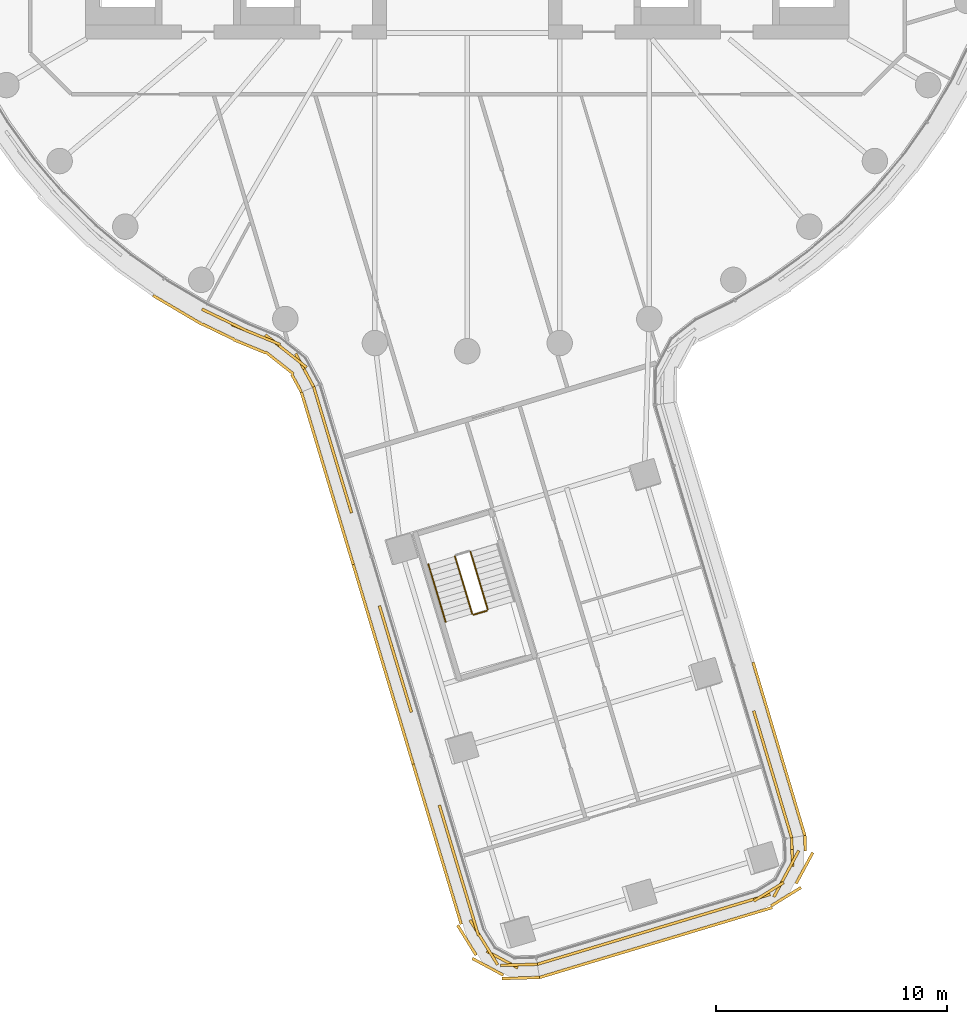
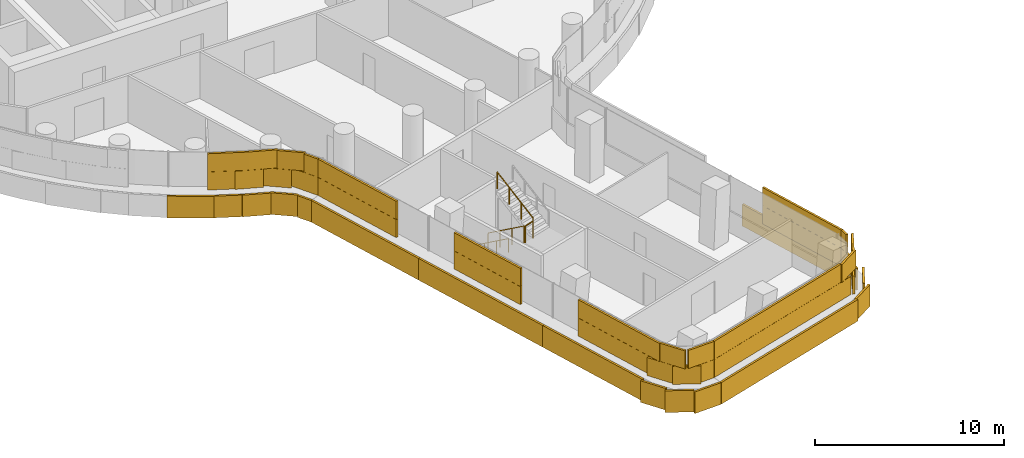
# One storey, part 24 of 32: 6 coverings, 4 railings.
"""IFC4 building model written with IfcOpenShell, lengths in metres."""

from ifc_helpers import new_model, si_unit, direction, frame, origin, origin_2d, place, context, subcontext, project, spatial, rectangle, circle, extrude, material, layer, layer_set, type_object, element, save


model = new_model("IFC4")

# Units and contexts
model_context = context("Model", 3, precision=1e-05, world=origin(), true_north=direction((0.0, 1.0)))
body_context = subcontext(model_context, "Body", "Model", "MODEL_VIEW")
ifc_project = project(units=[si_unit("LENGTHUNIT", "METRE"), si_unit("AREAUNIT", "SQUARE_METRE"), si_unit("VOLUMEUNIT", "CUBIC_METRE"), si_unit("PLANEANGLEUNIT", "RADIAN"), si_unit("MASSUNIT", "GRAM", prefix="KILO")], contexts=[model_context])

# Site, building, storey
site_placement = place(None, origin())
site = spatial("IfcSite", under=ifc_project, at=site_placement, CompositionType="ELEMENT")
building_placement = place(site_placement, origin())
building = spatial("IfcBuilding", under=site, at=building_placement, Name="Tamarind Cross Interchange Tower", CompositionType="ELEMENT")
storey_placement = place(building_placement, frame((0.0, 0.0, 94.75)))
storey = spatial("IfcBuildingStorey", under=building, at=storey_placement, Name="L22", CompositionType="ELEMENT", Elevation=94.75)

# Railings
ifc_material_1 = material(Name="Stair guard")
railing_type_1 = type_object("IfcRailingType", Name="Stair guard", PredefinedType="GUARDRAIL", material=ifc_material_1)
railing_1_placement = place(storey_placement, frame((-0.533447265625, -31.87060546875, 0.17041015625)))
element("IfcRailing", 1, at=railing_1_placement, inside=storey, type_object=railing_type_1, Name="L22 ST6 stair guard 1", PredefinedType="GUARDRAIL", context=body_context, shape_type="SweptSolid", body=[
    extrude(circle(Radius=0.02392578125, at=origin_2d()), frame((0.0, 0.0, 1.076171875), z_axis=(0.240614736033, -0.800923528983, 0.548293762071), x_axis=(0.957715080866, 0.287718306478, 0.0)), (0.0, 0.0, 1.0), 3.10888671875),
    extrude(circle(Radius=0.02099609375, at=origin_2d()), origin(), (0.0, 0.0, 1.0), 1.052001953125),
    extrude(circle(Radius=0.02099609375, at=origin_2d()), frame((0.249267578125, -0.830078125, 0.568115234375)), (0.0, 0.0, 1.0), 1.052001953125),
    extrude(circle(Radius=0.02099609375, at=origin_2d()), frame((0.498779296875, -1.659912109375, 1.136474609375)), (0.0, 0.0, 1.0), 1.052001953125),
    extrude(circle(Radius=0.02099609375, at=origin_2d()), frame((0.748046875, -2.489990234375, 1.70458984375)), (0.0, 0.0, 1.0), 1.052001953125),
])
railing_2_placement = place(storey_placement, frame((0.27685546875, -34.394287109375, 1.875)))
element("IfcRailing", 2, at=railing_2_placement, inside=storey, type_object=railing_type_1, Name="L22 ST6 stair guard 2", PredefinedType="GUARDRAIL", context=body_context, shape_type="SweptSolid", body=[
    extrude(circle(Radius=0.02392578125, at=origin_2d()), frame((0.0, 0.0, 1.076171875), z_axis=(0.957702972853, 0.287758606803, 0.0), x_axis=(-0.287758606803, 0.957702972853, 0.0)), (0.0, 0.0, 1.0), 0.599853515625),
    extrude(circle(Radius=0.02099609375, at=origin_2d()), origin(), (0.0, 0.0, 1.0), 1.052001953125),
    extrude(circle(Radius=0.02099609375, at=origin_2d()), frame((0.574462890625, 0.172607421875, 0.0)), (0.0, 0.0, 1.0), 1.052001953125),
])
railing_3_placement = place(storey_placement, frame((0.885009765625, -34.159423828125, 2.04541015625)))
element("IfcRailing", 3, at=railing_3_placement, inside=storey, type_object=railing_type_1, Name="L22 ST6 stair guard 3", PredefinedType="GUARDRAIL", context=body_context, shape_type="SweptSolid", body=[
    extrude(circle(Radius=0.02392578125, at=origin_2d()), frame((0.0, 0.0, 1.076171875), z_axis=(-0.240599602963, 0.800951680882, 0.548259278031), x_axis=(-0.957722853266, -0.287692433569, 0.0)), (0.0, 0.0, 1.0), 3.109130859375),
    extrude(circle(Radius=0.02099609375, at=origin_2d()), origin(), (0.0, 0.0, 1.0), 1.052001953125),
    extrude(circle(Radius=0.02099609375, at=origin_2d()), frame((-0.249267578125, 0.830078125, 0.568115234375)), (0.0, 0.0, 1.0), 1.052001953125),
    extrude(circle(Radius=0.02099609375, at=origin_2d()), frame((-0.498779296875, 1.66015625, 1.136474609375)), (0.0, 0.0, 1.0), 1.052001953125),
    extrude(circle(Radius=0.02099609375, at=origin_2d()), frame((-0.748046875, 2.490234375, 1.70458984375)), (0.0, 0.0, 1.0), 1.052001953125),
])
ifc_material_2 = material(Name="Stair handrail")
railing_type_2 = type_object("IfcRailingType", Name="Stair handrail", PredefinedType="HANDRAIL", material=ifc_material_2)
railing_4_placement = place(storey_placement, frame((-1.6826171875, -32.2158203125, 0.17041015625)))
element("IfcRailing", 4, at=railing_4_placement, inside=storey, type_object=railing_type_2, Name="L22 ST6 stair handrail 1", PredefinedType="HANDRAIL", context=body_context, shape_type="SweptSolid", body=[
    extrude(circle(Radius=0.02392578125, at=origin_2d()), frame((0.0, 0.0, 0.8759765625), z_axis=(0.24054075083, -0.800938660698, 0.548304120894), x_axis=(0.957740952822, 0.287632173595, 0.0)), (0.0, 0.0, 1.0), 3.10888671875),
    extrude(circle(Radius=0.02099609375, at=origin_2d()), origin(), (0.0, 0.0, 1.0), 0.851806640625),
    extrude(circle(Radius=0.02099609375, at=origin_2d()), frame((0.249267578125, -0.830078125, 0.568115234375)), (0.0, 0.0, 1.0), 0.851806640625),
    extrude(circle(Radius=0.02099609375, at=origin_2d()), frame((0.49853515625, -1.659912109375, 1.136474609375)), (0.0, 0.0, 1.0), 0.851806640625),
    extrude(circle(Radius=0.02099609375, at=origin_2d()), frame((0.747802734375, -2.489990234375, 1.70458984375)), (0.0, 0.0, 1.0), 0.851806640625),
])

# Coverings
ifc_material_3 = material(Name="Terracotta", Category="masonry")
ifc_layer = layer(ifc_material_3, 0.1201171875)
ifc_layer_set = layer_set([ifc_layer], Name="Terracotta")
covering_type = type_object("IfcCoveringType", Name="Terracotta baguette screen unit", PredefinedType="MOLDING", material=ifc_layer_set)
covering_1_placement = place(storey_placement, origin())
element("IfcCovering", 5, at=covering_1_placement, inside=storey, type_object=covering_type, Name="SCR-L22-06-01", PredefinedType="MOLDING", context=body_context, shape_type="SweptSolid", body=[
    extrude(rectangle(XDim=1.45361328125, YDim=0.1201171875, at=origin_2d()), frame((-10.8115234375, -21.50341796875, 1.404052734375), z_axis=(0.0, 0.0, 1.0), x_axis=(0.900272776334, -0.435326231914, 0.0)), (0.0, 0.0, 1.0), 1.1669921875),
    extrude(rectangle(XDim=1.52001953125, YDim=0.1201171875, at=origin_2d()), frame((-9.48388671875, -22.138427734375, 1.404052734375), z_axis=(0.0, 0.0, 1.0), x_axis=(0.924673854944, -0.38076011081, 0.0)), (0.0, 0.0, 1.0), 1.1669921875),
    extrude(rectangle(XDim=1.52001953125, YDim=0.1201171875, at=origin_2d()), frame((-8.130859375, -22.767333984375, 1.404052734375), z_axis=(0.0, 0.0, 1.0), x_axis=(0.785091852631, -0.619379353008, 0.0)), (0.0, 0.0, 1.0), 1.1669921875),
    extrude(rectangle(XDim=1.52001953125, YDim=0.1201171875, at=origin_2d()), frame((-7.054443359375, -23.78173828125, 1.404052734375), z_axis=(0.0, 0.0, 1.0), x_axis=(0.47749522249, -0.878634345163, 0.0)), (0.0, 0.0, 1.0), 1.1669921875),
    extrude(rectangle(XDim=0.134521484375, YDim=0.1201171875, at=origin_2d()), frame((-6.666748046875, -24.49560546875, 1.404052734375), z_axis=(0.0, 0.0, 1.0), x_axis=(0.47749522249, -0.878634345163, 0.0)), (0.0, 0.0, 1.0), 1.1669921875),
    extrude(rectangle(XDim=0.70361328125, YDim=0.1201171875, at=origin_2d()), frame((-11.149169921875, -21.340087890625, 2.5791015625), z_axis=(0.0, 0.0, 1.0), x_axis=(0.900272776334, -0.435326231914, 0.0)), (0.0, 0.0, 1.0), 1.1669921875),
    extrude(rectangle(XDim=1.52001953125, YDim=0.1201171875, at=origin_2d()), frame((-10.161865234375, -21.817626953125, 2.5791015625), z_axis=(0.0, 0.0, 1.0), x_axis=(0.900272776334, -0.435326231914, 0.0)), (0.0, 0.0, 1.0), 1.1669921875),
    extrude(rectangle(XDim=1.52001953125, YDim=0.1201171875, at=origin_2d()), frame((-8.79052734375, -22.423828125, 2.5791015625), z_axis=(0.0, 0.0, 1.0), x_axis=(0.924673854944, -0.38076011081, 0.0)), (0.0, 0.0, 1.0), 1.1669921875),
    extrude(rectangle(XDim=1.52001953125, YDim=0.1201171875, at=origin_2d()), frame((-7.5419921875, -23.231689453125, 2.5791015625), z_axis=(0.0, 0.0, 1.0), x_axis=(0.785091852631, -0.619379353008, 0.0)), (0.0, 0.0, 1.0), 1.1669921875),
    extrude(rectangle(XDim=0.884521484375, YDim=0.1201171875, at=origin_2d()), frame((-6.845703125, -24.166015625, 2.5791015625), z_axis=(0.0, 0.0, 1.0), x_axis=(0.47749522249, -0.878634345163, 0.0)), (0.0, 0.0, 1.0), 1.1669921875),
    extrude(rectangle(XDim=0.977294921875, YDim=0.1201171875, at=origin_2d()), frame((-13.161865234375, -20.8427734375, 0.00390625), z_axis=(0.0, 0.0, 1.0), x_axis=(0.861248933065, -0.508183308752, 0.0)), (0.0, 0.0, 1.0), 1.39208984375),
    extrude(rectangle(XDim=1.52001953125, YDim=0.1201171875, at=origin_2d()), frame((-12.103759765625, -21.467041015625, 0.00390625), z_axis=(0.0, 0.0, 1.0), x_axis=(0.861248933065, -0.508183308752, 0.0)), (0.0, 0.0, 1.0), 1.39208984375),
    extrude(rectangle(XDim=1.52001953125, YDim=0.1201171875, at=origin_2d()), frame((-10.774169921875, -22.158935546875, 0.00390625), z_axis=(0.0, 0.0, 1.0), x_axis=(0.900272776334, -0.435326231914, 0.0)), (0.0, 0.0, 1.0), 1.39208984375),
    extrude(rectangle(XDim=1.52001953125, YDim=0.1201171875, at=origin_2d()), frame((-9.4130859375, -22.788330078125, 0.00390625), z_axis=(0.0, 0.0, 1.0), x_axis=(0.924673854944, -0.38076011081, 0.0)), (0.0, 0.0, 1.0), 1.39208984375),
    extrude(rectangle(XDim=1.52001953125, YDim=0.1201171875, at=origin_2d()), frame((-8.11474609375, -23.510986328125, 0.00390625), z_axis=(0.0, 0.0, 1.0), x_axis=(0.785091852631, -0.619379353008, 0.0)), (0.0, 0.0, 1.0), 1.39208984375),
    extrude(rectangle(XDim=0.8662109375, YDim=0.1201171875, at=origin_2d()), frame((-7.37646484375, -24.3916015625, 0.00390625), z_axis=(0.0, 0.0, 1.0), x_axis=(0.47749522249, -0.878634345163, 0.0)), (0.0, 0.0, 1.0), 1.39208984375),
])
covering_2_placement = place(storey_placement, origin())
element("IfcCovering", 6, at=covering_2_placement, inside=storey, type_object=covering_type, Name="SCR-L22-07-00", PredefinedType="MOLDING", context=body_context, shape_type="SweptSolid", body=[
    extrude(rectangle(XDim=1.510009765625, YDim=0.1201171875, at=origin_2d()), frame((-6.421142578125, -25.2685546875, 1.404052734375), z_axis=(0.0, 0.0, 1.0), x_axis=(0.287641355717, -0.957738195167, 0.0)), (0.0, 0.0, 1.0), 1.1669921875),
    extrude(rectangle(XDim=1.52001953125, YDim=0.1201171875, at=origin_2d()), frame((-5.98974609375, -26.705078125, 1.404052734375), z_axis=(0.0, 0.0, 1.0), x_axis=(0.287641355717, -0.957738195167, 0.0)), (0.0, 0.0, 1.0), 1.1669921875),
    extrude(rectangle(XDim=1.52001953125, YDim=0.1201171875, at=origin_2d()), frame((-5.558349609375, -28.141845703125, 1.404052734375), z_axis=(0.0, 0.0, 1.0), x_axis=(0.287641355717, -0.957738195167, 0.0)), (0.0, 0.0, 1.0), 1.1669921875),
    extrude(rectangle(XDim=1.186767578125, YDim=0.1201171875, at=origin_2d()), frame((-5.17333984375, -29.423583984375, 1.404052734375), z_axis=(0.0, 0.0, 1.0), x_axis=(0.287641355717, -0.957738195167, 0.0)), (0.0, 0.0, 1.0), 1.1669921875),
    extrude(rectangle(XDim=0.760009765625, YDim=0.1201171875, at=origin_2d()), frame((-6.529052734375, -24.909423828125, 2.5791015625), z_axis=(0.0, 0.0, 1.0), x_axis=(0.287641355717, -0.957738195167, 0.0)), (0.0, 0.0, 1.0), 1.1669921875),
    extrude(rectangle(XDim=1.52001953125, YDim=0.1201171875, at=origin_2d()), frame((-6.20556640625, -25.98681640625, 2.5791015625), z_axis=(0.0, 0.0, 1.0), x_axis=(0.287641355717, -0.957738195167, 0.0)), (0.0, 0.0, 1.0), 1.1669921875),
    extrude(rectangle(XDim=1.52001953125, YDim=0.1201171875, at=origin_2d()), frame((-5.77392578125, -27.42333984375, 2.5791015625), z_axis=(0.0, 0.0, 1.0), x_axis=(0.287641355717, -0.957738195167, 0.0)), (0.0, 0.0, 1.0), 1.1669921875),
    extrude(rectangle(XDim=1.52001953125, YDim=0.1201171875, at=origin_2d()), frame((-5.342529296875, -28.860107421875, 2.5791015625), z_axis=(0.0, 0.0, 1.0), x_axis=(0.287641355717, -0.957738195167, 0.0)), (0.0, 0.0, 1.0), 1.1669921875),
    extrude(rectangle(XDim=0.436767578125, YDim=0.1201171875, at=origin_2d()), frame((-5.0654296875, -29.78271484375, 2.5791015625), z_axis=(0.0, 0.0, 1.0), x_axis=(0.287641355717, -0.957738195167, 0.0)), (0.0, 0.0, 1.0), 1.1669921875),
    extrude(rectangle(XDim=1.510009765625, YDim=0.1201171875, at=origin_2d()), frame((-6.952392578125, -25.495361328125, 0.00390625), z_axis=(0.0, 0.0, 1.0), x_axis=(0.287641355717, -0.957738195167, 0.0)), (0.0, 0.0, 1.0), 1.39208984375),
    extrude(rectangle(XDim=1.52001953125, YDim=0.1201171875, at=origin_2d()), frame((-6.5224609375, -26.927001953125, 0.00390625), z_axis=(0.0, 0.0, 1.0), x_axis=(0.287641355717, -0.957738195167, 0.0)), (0.0, 0.0, 1.0), 1.39208984375),
    extrude(rectangle(XDim=1.52001953125, YDim=0.1201171875, at=origin_2d()), frame((-6.091064453125, -28.36376953125, 0.00390625), z_axis=(0.0, 0.0, 1.0), x_axis=(0.287641355717, -0.957738195167, 0.0)), (0.0, 0.0, 1.0), 1.39208984375),
    extrude(rectangle(XDim=1.52001953125, YDim=0.1201171875, at=origin_2d()), frame((-5.659423828125, -29.80029296875, 0.00390625), z_axis=(0.0, 0.0, 1.0), x_axis=(0.287641355717, -0.957738195167, 0.0)), (0.0, 0.0, 1.0), 1.39208984375),
    extrude(rectangle(XDim=1.52001953125, YDim=0.1201171875, at=origin_2d()), frame((-5.22802734375, -31.23681640625, 0.00390625), z_axis=(0.0, 0.0, 1.0), x_axis=(0.287641355717, -0.957738195167, 0.0)), (0.0, 0.0, 1.0), 1.39208984375),
    extrude(rectangle(XDim=0.291748046875, YDim=0.1201171875, at=origin_2d()), frame((-4.97314453125, -32.08544921875, 0.00390625), z_axis=(0.0, 0.0, 1.0), x_axis=(0.287641355717, -0.957738195167, 0.0)), (0.0, 0.0, 1.0), 1.39208984375),
])
covering_3_placement = place(storey_placement, origin())
element("IfcCovering", 7, at=covering_3_placement, inside=storey, type_object=covering_type, Name="SCR-L22-07-01", PredefinedType="MOLDING", context=body_context, shape_type="SweptSolid", body=[
    extrude(rectangle(XDim=0.63330078125, YDim=0.1201171875, at=origin_2d()), frame((-3.706298828125, -34.30810546875, 1.404052734375), z_axis=(0.0, 0.0, 1.0), x_axis=(0.287641355717, -0.957738195167, 0.0)), (0.0, 0.0, 1.0), 1.1669921875),
    extrude(rectangle(XDim=1.52001953125, YDim=0.1201171875, at=origin_2d()), frame((-3.40087890625, -35.32470703125, 1.404052734375), z_axis=(0.0, 0.0, 1.0), x_axis=(0.287641355717, -0.957738195167, 0.0)), (0.0, 0.0, 1.0), 1.1669921875),
    extrude(rectangle(XDim=1.52001953125, YDim=0.1201171875, at=origin_2d()), frame((-2.969482421875, -36.761474609375, 1.404052734375), z_axis=(0.0, 0.0, 1.0), x_axis=(0.287641355717, -0.957738195167, 0.0)), (0.0, 0.0, 1.0), 1.1669921875),
    extrude(rectangle(XDim=1.187744140625, YDim=0.1201171875, at=origin_2d()), frame((-2.58447265625, -38.043701171875, 1.404052734375), z_axis=(0.0, 0.0, 1.0), x_axis=(0.287641355717, -0.957738195167, 0.0)), (0.0, 0.0, 1.0), 1.1669921875),
    extrude(rectangle(XDim=1.38330078125, YDim=0.1201171875, at=origin_2d()), frame((-3.598388671875, -34.667236328125, 2.5791015625), z_axis=(0.0, 0.0, 1.0), x_axis=(0.287641355717, -0.957738195167, 0.0)), (0.0, 0.0, 1.0), 1.1669921875),
    extrude(rectangle(XDim=1.52001953125, YDim=0.1201171875, at=origin_2d()), frame((-3.185302734375, -36.04296875, 2.5791015625), z_axis=(0.0, 0.0, 1.0), x_axis=(0.287641355717, -0.957738195167, 0.0)), (0.0, 0.0, 1.0), 1.1669921875),
    extrude(rectangle(XDim=1.52001953125, YDim=0.1201171875, at=origin_2d()), frame((-2.753662109375, -37.479736328125, 2.5791015625), z_axis=(0.0, 0.0, 1.0), x_axis=(0.287641355717, -0.957738195167, 0.0)), (0.0, 0.0, 1.0), 1.1669921875),
    extrude(rectangle(XDim=0.437744140625, YDim=0.1201171875, at=origin_2d()), frame((-2.4765625, -38.40283203125, 2.5791015625), z_axis=(0.0, 0.0, 1.0), x_axis=(0.287641355717, -0.957738195167, 0.0)), (0.0, 0.0, 1.0), 1.1669921875),
    extrude(rectangle(XDim=1.228271484375, YDim=0.1201171875, at=origin_2d()), frame((-4.754638671875, -32.813232421875, 0.00390625), z_axis=(0.0, 0.0, 1.0), x_axis=(0.287641355717, -0.957738195167, 0.0)), (0.0, 0.0, 1.0), 1.39208984375),
    extrude(rectangle(XDim=1.52001953125, YDim=0.1201171875, at=origin_2d()), frame((-4.364990234375, -34.110107421875, 0.00390625), z_axis=(0.0, 0.0, 1.0), x_axis=(0.287641355717, -0.957738195167, 0.0)), (0.0, 0.0, 1.0), 1.39208984375),
    extrude(rectangle(XDim=1.52001953125, YDim=0.1201171875, at=origin_2d()), frame((-3.93359375, -35.546630859375, 0.00390625), z_axis=(0.0, 0.0, 1.0), x_axis=(0.287641355717, -0.957738195167, 0.0)), (0.0, 0.0, 1.0), 1.39208984375),
    extrude(rectangle(XDim=1.52001953125, YDim=0.1201171875, at=origin_2d()), frame((-3.502197265625, -36.9833984375, 0.00390625), z_axis=(0.0, 0.0, 1.0), x_axis=(0.287641355717, -0.957738195167, 0.0)), (0.0, 0.0, 1.0), 1.39208984375),
    extrude(rectangle(XDim=1.52001953125, YDim=0.1201171875, at=origin_2d()), frame((-3.07080078125, -38.419921875, 0.00390625), z_axis=(0.0, 0.0, 1.0), x_axis=(0.287641355717, -0.957738195167, 0.0)), (0.0, 0.0, 1.0), 1.39208984375),
    extrude(rectangle(XDim=1.52001953125, YDim=0.1201171875, at=origin_2d()), frame((-2.63916015625, -39.8564453125, 0.00390625), z_axis=(0.0, 0.0, 1.0), x_axis=(0.287641355717, -0.957738195167, 0.0)), (0.0, 0.0, 1.0), 1.39208984375),
    extrude(rectangle(XDim=0.298828125, YDim=0.1201171875, at=origin_2d()), frame((-2.383544921875, -40.708251953125, 0.00390625), z_axis=(0.0, 0.0, 1.0), x_axis=(0.287641355717, -0.957738195167, 0.0)), (0.0, 0.0, 1.0), 1.39208984375),
])
covering_4_placement = place(storey_placement, origin())
element("IfcCovering", 8, at=covering_4_placement, inside=storey, type_object=covering_type, Name="SCR-L22-07-02", PredefinedType="MOLDING", context=body_context, shape_type="SweptSolid", body=[
    extrude(rectangle(XDim=0.63232421875, YDim=0.1201171875, at=origin_2d()), frame((-1.117431640625, -42.92822265625, 1.404052734375), z_axis=(0.0, 0.0, 1.0), x_axis=(0.287641355717, -0.957738195167, 0.0)), (0.0, 0.0, 1.0), 1.1669921875),
    extrude(rectangle(XDim=1.52001953125, YDim=0.1201171875, at=origin_2d()), frame((-0.812255859375, -43.9443359375, 1.404052734375), z_axis=(0.0, 0.0, 1.0), x_axis=(0.287641355717, -0.957738195167, 0.0)), (0.0, 0.0, 1.0), 1.1669921875),
    extrude(rectangle(XDim=1.52001953125, YDim=0.1201171875, at=origin_2d()), frame((-0.380859375, -45.381103515625, 1.404052734375), z_axis=(0.0, 0.0, 1.0), x_axis=(0.287641355717, -0.957738195167, 0.0)), (0.0, 0.0, 1.0), 1.1669921875),
    extrude(rectangle(XDim=1.52001953125, YDim=0.1201171875, at=origin_2d()), frame((0.05078125, -46.817626953125, 1.404052734375), z_axis=(0.0, 0.0, 1.0), x_axis=(0.287641355717, -0.957738195167, 0.0)), (0.0, 0.0, 1.0), 1.1669921875),
    extrude(rectangle(XDim=1.52001953125, YDim=0.1201171875, at=origin_2d()), frame((0.51806640625, -48.238037109375, 1.404052734375), z_axis=(0.0, 0.0, 1.0), x_axis=(0.525721099327, -0.850656996517, 0.0)), (0.0, 0.0, 1.0), 1.1669921875),
    extrude(rectangle(XDim=1.52001953125, YDim=0.1201171875, at=origin_2d()), frame((1.512451171875, -49.295654296875, 1.404052734375), z_axis=(0.0, 0.0, 1.0), x_axis=(0.880616325581, -0.473830019227, 0.0)), (0.0, 0.0, 1.0), 1.1669921875),
    extrude(rectangle(XDim=0.835205078125, YDim=0.1201171875, at=origin_2d()), frame((2.614501953125, -49.5146484375, 1.404052734375), z_axis=(0.0, 0.0, 1.0), x_axis=(0.999551118554, 0.029959329064, 0.0)), (0.0, 0.0, 1.0), 1.1669921875),
    extrude(rectangle(XDim=1.38232421875, YDim=0.1201171875, at=origin_2d()), frame((-1.009521484375, -43.287353515625, 2.5791015625), z_axis=(0.0, 0.0, 1.0), x_axis=(0.287641355717, -0.957738195167, 0.0)), (0.0, 0.0, 1.0), 1.1669921875),
    extrude(rectangle(XDim=1.52001953125, YDim=0.1201171875, at=origin_2d()), frame((-0.596435546875, -44.662841796875, 2.5791015625), z_axis=(0.0, 0.0, 1.0), x_axis=(0.287641355717, -0.957738195167, 0.0)), (0.0, 0.0, 1.0), 1.1669921875),
    extrude(rectangle(XDim=1.52001953125, YDim=0.1201171875, at=origin_2d()), frame((-0.1650390625, -46.099365234375, 2.5791015625), z_axis=(0.0, 0.0, 1.0), x_axis=(0.287641355717, -0.957738195167, 0.0)), (0.0, 0.0, 1.0), 1.1669921875),
    extrude(rectangle(XDim=1.52001953125, YDim=0.1201171875, at=origin_2d()), frame((0.266357421875, -47.535888671875, 2.5791015625), z_axis=(0.0, 0.0, 1.0), x_axis=(0.287641355717, -0.957738195167, 0.0)), (0.0, 0.0, 1.0), 1.1669921875),
    extrude(rectangle(XDim=1.52001953125, YDim=0.1201171875, at=origin_2d()), frame((0.912353515625, -48.8759765625, 2.5791015625), z_axis=(0.0, 0.0, 1.0), x_axis=(0.525721099327, -0.850656996517, 0.0)), (0.0, 0.0, 1.0), 1.1669921875),
    extrude(rectangle(XDim=1.52001953125, YDim=0.1201171875, at=origin_2d()), frame((2.2021484375, -49.527099609375, 2.5791015625), z_axis=(0.0, 0.0, 1.0), x_axis=(0.999551118554, 0.029959329064, 0.0)), (0.0, 0.0, 1.0), 1.1669921875),
    extrude(rectangle(XDim=0.085205078125, YDim=0.1201171875, at=origin_2d()), frame((2.9892578125, -49.50341796875, 2.5791015625), z_axis=(0.0, 0.0, 1.0), x_axis=(0.999551118554, 0.029959329064, 0.0)), (0.0, 0.0, 1.0), 1.1669921875),
    extrude(rectangle(XDim=1.22119140625, YDim=0.1201171875, at=origin_2d()), frame((-2.164794921875, -41.436279296875, 0.00390625), z_axis=(0.0, 0.0, 1.0), x_axis=(0.287641355717, -0.957738195167, 0.0)), (0.0, 0.0, 1.0), 1.39208984375),
    extrude(rectangle(XDim=1.52001953125, YDim=0.1201171875, at=origin_2d()), frame((-1.7763671875, -42.729736328125, 0.00390625), z_axis=(0.0, 0.0, 1.0), x_axis=(0.287641355717, -0.957738195167, 0.0)), (0.0, 0.0, 1.0), 1.39208984375),
    extrude(rectangle(XDim=1.52001953125, YDim=0.1201171875, at=origin_2d()), frame((-1.344970703125, -44.166259765625, 0.00390625), z_axis=(0.0, 0.0, 1.0), x_axis=(0.287641355717, -0.957738195167, 0.0)), (0.0, 0.0, 1.0), 1.39208984375),
    extrude(rectangle(XDim=1.52001953125, YDim=0.1201171875, at=origin_2d()), frame((-0.913330078125, -45.60302734375, 0.00390625), z_axis=(0.0, 0.0, 1.0), x_axis=(0.287641355717, -0.957738195167, 0.0)), (0.0, 0.0, 1.0), 1.39208984375),
    extrude(rectangle(XDim=1.52001953125, YDim=0.1201171875, at=origin_2d()), frame((-0.48193359375, -47.03955078125, 0.00390625), z_axis=(0.0, 0.0, 1.0), x_axis=(0.287641355717, -0.957738195167, 0.0)), (0.0, 0.0, 1.0), 1.39208984375),
    extrude(rectangle(XDim=1.52001953125, YDim=0.1201171875, at=origin_2d()), frame((-0.018310546875, -48.461669921875, 0.00390625), z_axis=(0.0, 0.0, 1.0), x_axis=(0.525721099327, -0.850656996517, 0.0)), (0.0, 0.0, 1.0), 1.39208984375),
    extrude(rectangle(XDim=1.52001953125, YDim=0.1201171875, at=origin_2d()), frame((0.888671875, -49.61181640625, 0.00390625), z_axis=(0.0, 0.0, 1.0), x_axis=(0.880616325581, -0.473830019227, 0.0)), (0.0, 0.0, 1.0), 1.39208984375),
    extrude(rectangle(XDim=1.52001953125, YDim=0.1201171875, at=origin_2d()), frame((2.26220703125, -50.099365234375, 0.00390625), z_axis=(0.0, 0.0, 1.0), x_axis=(0.999551118554, 0.029959329064, 0.0)), (0.0, 0.0, 1.0), 1.39208984375),
    extrude(rectangle(XDim=0.11767578125, YDim=0.1201171875, at=origin_2d()), frame((3.060791015625, -50.075439453125, 0.00390625), z_axis=(0.0, 0.0, 1.0), x_axis=(0.999551118554, 0.029959329064, 0.0)), (0.0, 0.0, 1.0), 1.39208984375),
])
covering_5_placement = place(storey_placement, origin())
element("IfcCovering", 9, at=covering_5_placement, inside=storey, type_object=covering_type, Name="SCR-L22-08-00", PredefinedType="MOLDING", context=body_context, shape_type="SweptSolid", body=[
    extrude(rectangle(XDim=1.510009765625, YDim=0.1201171875, at=origin_2d()), frame((3.7451171875, -49.28662109375, 1.404052734375), z_axis=(0.0, 0.0, 1.0), x_axis=(0.957738195167, 0.287641355717, 0.0)), (0.0, 0.0, 1.0), 1.1669921875),
    extrude(rectangle(XDim=1.52001953125, YDim=0.1201171875, at=origin_2d()), frame((5.181884765625, -48.85498046875, 1.404052734375), z_axis=(0.0, 0.0, 1.0), x_axis=(0.957738195167, 0.287641355717, 0.0)), (0.0, 0.0, 1.0), 1.1669921875),
    extrude(rectangle(XDim=1.52001953125, YDim=0.1201171875, at=origin_2d()), frame((6.618408203125, -48.423583984375, 1.404052734375), z_axis=(0.0, 0.0, 1.0), x_axis=(0.957738195167, 0.287641355717, 0.0)), (0.0, 0.0, 1.0), 1.1669921875),
    extrude(rectangle(XDim=1.52001953125, YDim=0.1201171875, at=origin_2d()), frame((8.054931640625, -47.9921875, 1.404052734375), z_axis=(0.0, 0.0, 1.0), x_axis=(0.957738195167, 0.287641355717, 0.0)), (0.0, 0.0, 1.0), 1.1669921875),
    extrude(rectangle(XDim=1.52001953125, YDim=0.1201171875, at=origin_2d()), frame((9.49169921875, -47.560791015625, 1.404052734375), z_axis=(0.0, 0.0, 1.0), x_axis=(0.957738195167, 0.287641355717, 0.0)), (0.0, 0.0, 1.0), 1.1669921875),
    extrude(rectangle(XDim=1.52001953125, YDim=0.1201171875, at=origin_2d()), frame((10.92822265625, -47.129150390625, 1.404052734375), z_axis=(0.0, 0.0, 1.0), x_axis=(0.957738195167, 0.287641355717, 0.0)), (0.0, 0.0, 1.0), 1.1669921875),
    extrude(rectangle(XDim=1.52001953125, YDim=0.1201171875, at=origin_2d()), frame((12.36474609375, -46.69775390625, 1.404052734375), z_axis=(0.0, 0.0, 1.0), x_axis=(0.957738195167, 0.287641355717, 0.0)), (0.0, 0.0, 1.0), 1.1669921875),
    extrude(rectangle(XDim=1.52001953125, YDim=0.1201171875, at=origin_2d()), frame((13.611572265625, -45.91943359375, 1.404052734375), z_axis=(0.0, 0.0, 1.0), x_axis=(0.473830019227, 0.880616325581, 0.0)), (0.0, 0.0, 1.0), 1.1669921875),
    extrude(rectangle(XDim=1.259521484375, YDim=0.1201171875, at=origin_2d()), frame((14.038330078125, -44.655517578125, 1.404052734375), z_axis=(0.0, 0.0, 1.0), x_axis=(-0.029959329064, 0.999551118554, 0.0)), (0.0, 0.0, 1.0), 1.1669921875),
    extrude(rectangle(XDim=0.760009765625, YDim=0.1201171875, at=origin_2d()), frame((3.385986328125, -49.39453125, 2.5791015625), z_axis=(0.0, 0.0, 1.0), x_axis=(0.957738195167, 0.287641355717, 0.0)), (0.0, 0.0, 1.0), 1.1669921875),
    extrude(rectangle(XDim=1.52001953125, YDim=0.1201171875, at=origin_2d()), frame((4.46337890625, -49.07080078125, 2.5791015625), z_axis=(0.0, 0.0, 1.0), x_axis=(0.957738195167, 0.287641355717, 0.0)), (0.0, 0.0, 1.0), 1.1669921875),
    extrude(rectangle(XDim=1.52001953125, YDim=0.1201171875, at=origin_2d()), frame((5.900146484375, -48.639404296875, 2.5791015625), z_axis=(0.0, 0.0, 1.0), x_axis=(0.957738195167, 0.287641355717, 0.0)), (0.0, 0.0, 1.0), 1.1669921875),
    extrude(rectangle(XDim=1.52001953125, YDim=0.1201171875, at=origin_2d()), frame((7.336669921875, -48.2080078125, 2.5791015625), z_axis=(0.0, 0.0, 1.0), x_axis=(0.957738195167, 0.287641355717, 0.0)), (0.0, 0.0, 1.0), 1.1669921875),
    extrude(rectangle(XDim=1.52001953125, YDim=0.1201171875, at=origin_2d()), frame((8.773193359375, -47.7763671875, 2.5791015625), z_axis=(0.0, 0.0, 1.0), x_axis=(0.957738195167, 0.287641355717, 0.0)), (0.0, 0.0, 1.0), 1.1669921875),
    extrude(rectangle(XDim=1.52001953125, YDim=0.1201171875, at=origin_2d()), frame((10.2099609375, -47.344970703125, 2.5791015625), z_axis=(0.0, 0.0, 1.0), x_axis=(0.957738195167, 0.287641355717, 0.0)), (0.0, 0.0, 1.0), 1.1669921875),
    extrude(rectangle(XDim=1.52001953125, YDim=0.1201171875, at=origin_2d()), frame((11.646484375, -46.91357421875, 2.5791015625), z_axis=(0.0, 0.0, 1.0), x_axis=(0.957738195167, 0.287641355717, 0.0)), (0.0, 0.0, 1.0), 1.1669921875),
    extrude(rectangle(XDim=1.52001953125, YDim=0.1201171875, at=origin_2d()), frame((13.0322265625, -46.36865234375, 2.5791015625), z_axis=(0.0, 0.0, 1.0), x_axis=(0.850656996517, 0.525721099327, 0.0)), (0.0, 0.0, 1.0), 1.1669921875),
    extrude(rectangle(XDim=1.52001953125, YDim=0.1201171875, at=origin_2d()), frame((13.967041015625, -45.2587890625, 2.5791015625), z_axis=(0.0, 0.0, 1.0), x_axis=(0.473830019227, 0.880616325581, 0.0)), (0.0, 0.0, 1.0), 1.1669921875),
    extrude(rectangle(XDim=0.509521484375, YDim=0.1201171875, at=origin_2d()), frame((14.027099609375, -44.28076171875, 2.5791015625), z_axis=(0.0, 0.0, 1.0), x_axis=(-0.029959329064, 0.999551118554, 0.0)), (0.0, 0.0, 1.0), 1.1669921875),
    extrude(rectangle(XDim=1.510009765625, YDim=0.1201171875, at=origin_2d()), frame((3.8427734375, -49.856689453125, 0.00390625), z_axis=(0.0, 0.0, 1.0), x_axis=(0.957738195167, 0.287641355717, 0.0)), (0.0, 0.0, 1.0), 1.39208984375),
    extrude(rectangle(XDim=1.52001953125, YDim=0.1201171875, at=origin_2d()), frame((5.2744140625, -49.426513671875, 0.00390625), z_axis=(0.0, 0.0, 1.0), x_axis=(0.957738195167, 0.287641355717, 0.0)), (0.0, 0.0, 1.0), 1.39208984375),
    extrude(rectangle(XDim=1.52001953125, YDim=0.1201171875, at=origin_2d()), frame((6.711181640625, -48.9951171875, 0.00390625), z_axis=(0.0, 0.0, 1.0), x_axis=(0.957738195167, 0.287641355717, 0.0)), (0.0, 0.0, 1.0), 1.39208984375),
    extrude(rectangle(XDim=1.52001953125, YDim=0.1201171875, at=origin_2d()), frame((8.147705078125, -48.563720703125, 0.00390625), z_axis=(0.0, 0.0, 1.0), x_axis=(0.957738195167, 0.287641355717, 0.0)), (0.0, 0.0, 1.0), 1.39208984375),
    extrude(rectangle(XDim=1.52001953125, YDim=0.1201171875, at=origin_2d()), frame((9.584228515625, -48.132080078125, 0.00390625), z_axis=(0.0, 0.0, 1.0), x_axis=(0.957738195167, 0.287641355717, 0.0)), (0.0, 0.0, 1.0), 1.39208984375),
    extrude(rectangle(XDim=1.52001953125, YDim=0.1201171875, at=origin_2d()), frame((11.02099609375, -47.70068359375, 0.00390625), z_axis=(0.0, 0.0, 1.0), x_axis=(0.957738195167, 0.287641355717, 0.0)), (0.0, 0.0, 1.0), 1.39208984375),
    extrude(rectangle(XDim=1.52001953125, YDim=0.1201171875, at=origin_2d()), frame((12.45751953125, -47.269287109375, 0.00390625), z_axis=(0.0, 0.0, 1.0), x_axis=(0.957738195167, 0.287641355717, 0.0)), (0.0, 0.0, 1.0), 1.39208984375),
    extrude(rectangle(XDim=1.52001953125, YDim=0.1201171875, at=origin_2d()), frame((13.779052734375, -46.581787109375, 0.00390625), z_axis=(0.0, 0.0, 1.0), x_axis=(0.850656996517, 0.525721099327, 0.0)), (0.0, 0.0, 1.0), 1.39208984375),
    extrude(rectangle(XDim=1.52001953125, YDim=0.1201171875, at=origin_2d()), frame((14.57470703125, -45.3408203125, 0.00390625), z_axis=(0.0, 0.0, 1.0), x_axis=(0.473830019227, 0.880616325581, 0.0)), (0.0, 0.0, 1.0), 1.39208984375),
    extrude(rectangle(XDim=0.6767578125, YDim=0.1201171875, at=origin_2d()), frame((14.60107421875, -44.27685546875, 0.00390625), z_axis=(0.0, 0.0, 1.0), x_axis=(-0.029959329064, 0.999551118554, 0.0)), (0.0, 0.0, 1.0), 1.39208984375),
])
covering_6_placement = place(storey_placement, origin())
element("IfcCovering", 10, at=covering_6_placement, inside=storey, type_object=covering_type, Name="SCR-L22-09-00", PredefinedType="MOLDING", context=body_context, shape_type="SweptSolid", body=[
    extrude(rectangle(XDim=1.510009765625, YDim=0.1201171875, at=origin_2d()), frame((13.8046875, -43.3125, 1.404052734375), z_axis=(0.0, 0.0, 1.0), x_axis=(-0.286304452373, 0.958138695884, 0.0)), (0.0, 0.0, 1.0), 1.1669921875),
    extrude(rectangle(XDim=1.52001953125, YDim=0.1201171875, at=origin_2d()), frame((13.375244140625, -41.875244140625, 1.404052734375), z_axis=(0.0, 0.0, 1.0), x_axis=(-0.286304452373, 0.958138695884, 0.0)), (0.0, 0.0, 1.0), 1.1669921875),
    extrude(rectangle(XDim=1.52001953125, YDim=0.1201171875, at=origin_2d()), frame((12.94580078125, -40.43798828125, 1.404052734375), z_axis=(0.0, 0.0, 1.0), x_axis=(-0.286304452373, 0.958138695884, 0.0)), (0.0, 0.0, 1.0), 1.1669921875),
    extrude(rectangle(XDim=1.229736328125, YDim=0.1201171875, at=origin_2d()), frame((12.556640625, -39.135009765625, 1.404052734375), z_axis=(0.0, 0.0, 1.0), x_axis=(-0.286304452373, 0.958138695884, 0.0)), (0.0, 0.0, 1.0), 1.1669921875),
    extrude(rectangle(XDim=0.760009765625, YDim=0.1201171875, at=origin_2d()), frame((13.912109375, -43.671630859375, 2.5791015625), z_axis=(0.0, 0.0, 1.0), x_axis=(-0.286304452373, 0.958138695884, 0.0)), (0.0, 0.0, 1.0), 1.1669921875),
    extrude(rectangle(XDim=1.52001953125, YDim=0.1201171875, at=origin_2d()), frame((13.590087890625, -42.59375, 2.5791015625), z_axis=(0.0, 0.0, 1.0), x_axis=(-0.286304452373, 0.958138695884, 0.0)), (0.0, 0.0, 1.0), 1.1669921875),
    extrude(rectangle(XDim=1.52001953125, YDim=0.1201171875, at=origin_2d()), frame((13.16064453125, -41.15673828125, 2.5791015625), z_axis=(0.0, 0.0, 1.0), x_axis=(-0.286304452373, 0.958138695884, 0.0)), (0.0, 0.0, 1.0), 1.1669921875),
    extrude(rectangle(XDim=1.52001953125, YDim=0.1201171875, at=origin_2d()), frame((12.731201171875, -39.719482421875, 2.5791015625), z_axis=(0.0, 0.0, 1.0), x_axis=(-0.286304452373, 0.958138695884, 0.0)), (0.0, 0.0, 1.0), 1.1669921875),
    extrude(rectangle(XDim=0.479736328125, YDim=0.1201171875, at=origin_2d()), frame((12.44921875, -38.775634765625, 2.5791015625), z_axis=(0.0, 0.0, 1.0), x_axis=(-0.286304452373, 0.958138695884, 0.0)), (0.0, 0.0, 1.0), 1.1669921875),
    extrude(rectangle(XDim=1.510009765625, YDim=0.1201171875, at=origin_2d()), frame((14.374755859375, -43.21533203125, 0.00390625), z_axis=(0.0, 0.0, 1.0), x_axis=(-0.286304452373, 0.958138695884, 0.0)), (0.0, 0.0, 1.0), 1.39208984375),
    extrude(rectangle(XDim=1.52001953125, YDim=0.1201171875, at=origin_2d()), frame((13.94677734375, -41.782958984375, 0.00390625), z_axis=(0.0, 0.0, 1.0), x_axis=(-0.286304452373, 0.958138695884, 0.0)), (0.0, 0.0, 1.0), 1.39208984375),
    extrude(rectangle(XDim=1.52001953125, YDim=0.1201171875, at=origin_2d()), frame((13.517333984375, -40.345703125, 0.00390625), z_axis=(0.0, 0.0, 1.0), x_axis=(-0.286304452373, 0.958138695884, 0.0)), (0.0, 0.0, 1.0), 1.39208984375),
    extrude(rectangle(XDim=1.52001953125, YDim=0.1201171875, at=origin_2d()), frame((13.087890625, -38.908447265625, 0.00390625), z_axis=(0.0, 0.0, 1.0), x_axis=(-0.286304452373, 0.958138695884, 0.0)), (0.0, 0.0, 1.0), 1.39208984375),
    extrude(rectangle(XDim=1.52001953125, YDim=0.1201171875, at=origin_2d()), frame((12.658447265625, -37.47119140625, 0.00390625), z_axis=(0.0, 0.0, 1.0), x_axis=(-0.286304452373, 0.958138695884, 0.0)), (0.0, 0.0, 1.0), 1.39208984375),
    extrude(rectangle(XDim=0.32470703125, YDim=0.1201171875, at=origin_2d()), frame((12.400146484375, -36.606689453125, 0.00390625), z_axis=(0.0, 0.0, 1.0), x_axis=(-0.286304452373, 0.958138695884, 0.0)), (0.0, 0.0, 1.0), 1.39208984375),
])

save(model, "model.ifc")
